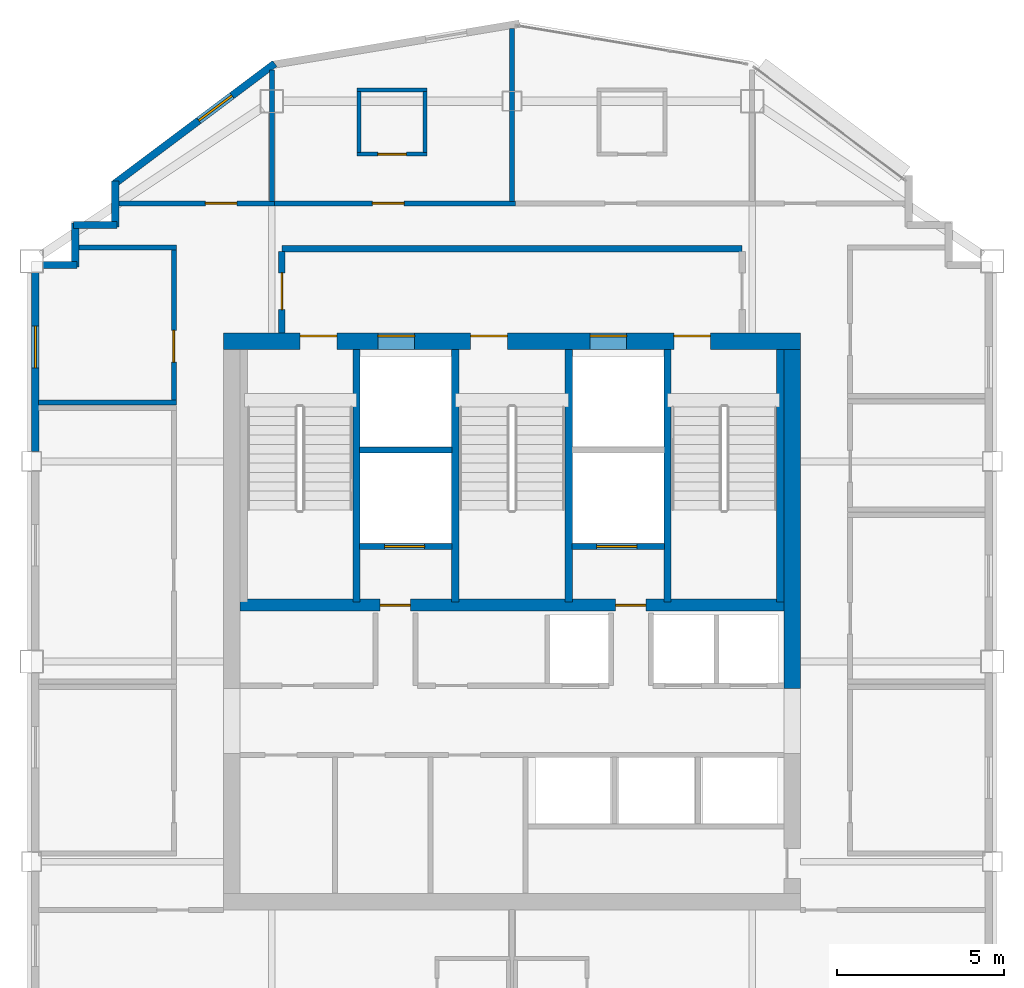
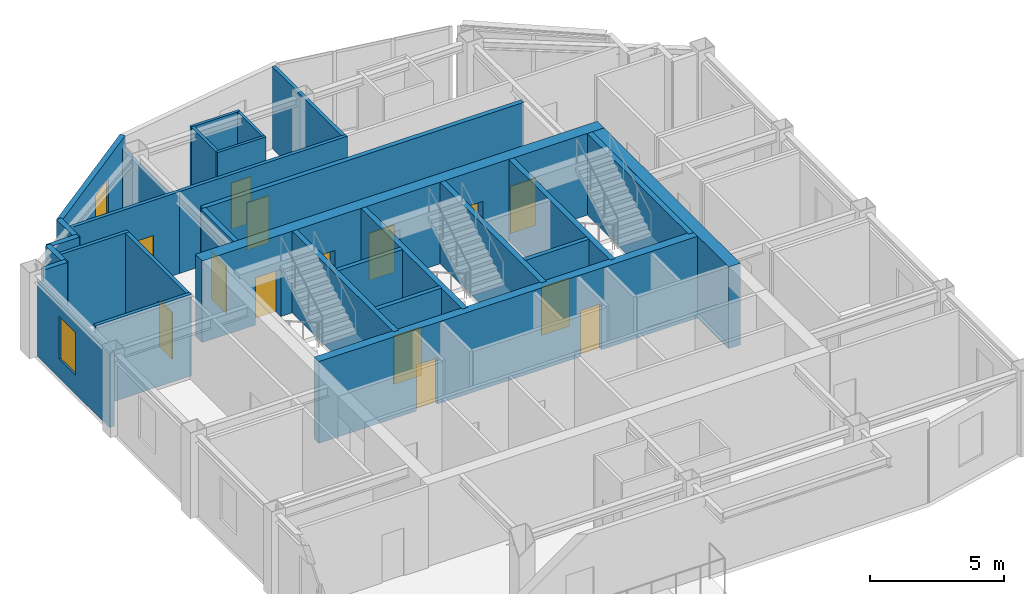
# One storey, part 6 of 9: 30 walls, 14 doors, 2 windows, 16 openings.
"""IFC4 building model written with IfcOpenShell, lengths in metres."""

from ifc_helpers import new_model, si_unit, direction, frame, frame_2d, origin, place, context, subcontext, project, spatial, rectangle, extrude, material, layer, layer_set, type_object, element, fill, save


model = new_model("IFC4")

# Units and contexts
model_context = context("Model", 3, precision=1e-05, world=origin(), true_north=direction((0.0, 1.0)))
body_context = subcontext(model_context, "Body", "Model", "MODEL_VIEW")
ifc_project = project(units=[si_unit("LENGTHUNIT", "METRE"), si_unit("AREAUNIT", "SQUARE_METRE"), si_unit("VOLUMEUNIT", "CUBIC_METRE"), si_unit("PLANEANGLEUNIT", "RADIAN"), si_unit("MASSUNIT", "GRAM", prefix="KILO")], contexts=[model_context])

# Site, building, storey
site_placement = place(None, origin())
site = spatial("IfcSite", under=ifc_project, at=site_placement, CompositionType="ELEMENT")
building_placement = place(site_placement, origin())
building = spatial("IfcBuilding", under=site, at=building_placement, Name="Haolan Belvedere Tower", CompositionType="ELEMENT")
storey_placement = place(building_placement, frame((0.0, 0.0, 290.0)))
storey = spatial("IfcBuildingStorey", under=building, at=storey_placement, Name="L73", CompositionType="ELEMENT", Elevation=290.0)

# Wall, openings, doors
ifc_material_1 = material(Name="Concrete C50/60", Category="concrete")
ifc_layer_1 = layer(ifc_material_1, 0.5, Name="Concrete C50/60")
ifc_layer_set_1 = layer_set([ifc_layer_1], Name="Concrete C50/60")
wall_type_1 = type_object("IfcWallType", Name="WL-CORE-500", PredefinedType="SHEAR", material=ifc_layer_set_1)
wall_1_placement = place(storey_placement, frame((29.75, 43.199951171875, 0.0), z_axis=(0.0, 0.0, 1.0), x_axis=(1.0, 0.0, 0.0)))
wall_1 = element("IfcWall", 1, at=wall_1_placement, inside=storey, type_object=wall_type_1, Name="L73 central core north shear wall", PredefinedType="SHEAR", context=body_context, shape_type="SweptSolid", body=[
    extrude(rectangle(XDim=17.300048828125, YDim=0.5, at=frame_2d((8.64990234375, 0.0))), origin(), (0.0, 0.0, 1.0), 3.719970703125),
])
opening_1_placement = place(wall_1_placement, frame((2.300048828125, 0.0, 0.0)))
opening_1 = element("IfcOpeningElement", 2, at=opening_1_placement, cuts=wall_1, Name="Opening FD-03", PredefinedType="OPENING", context=body_context, shape_type="SweptSolid", body=[
    extrude(rectangle(XDim=1.10009765625, YDim=2.14990234375, at=frame_2d((0.550048828125, 1.074951171875))), frame((0.0, 0.260009765625, 0.0), z_axis=(0.0, -1.0, 0.0), x_axis=(1.0, 0.0, 0.0)), (0.0, 0.0, 1.0), 0.52001953125),
])
opening_2_placement = place(wall_1_placement, frame((7.409912109375, 0.0, 0.0)))
opening_2 = element("IfcOpeningElement", 3, at=opening_2_placement, cuts=wall_1, Name="Opening FD-03", PredefinedType="OPENING", context=body_context, shape_type="SweptSolid", body=[
    extrude(rectangle(XDim=1.10009765625, YDim=2.14990234375, at=frame_2d((0.550048828125, 1.074951171875))), frame((0.0, 0.260009765625, 0.0), z_axis=(0.0, -1.0, 0.0), x_axis=(1.0, 0.0, 0.0)), (0.0, 0.0, 1.0), 0.52001953125),
])
opening_3_placement = place(wall_1_placement, frame((13.5, 0.0, 0.0)))
opening_3 = element("IfcOpeningElement", 4, at=opening_3_placement, cuts=wall_1, Name="Opening FD-03", PredefinedType="OPENING", context=body_context, shape_type="SweptSolid", body=[
    extrude(rectangle(XDim=1.10009765625, YDim=2.14990234375, at=frame_2d((0.550048828125, 1.074951171875))), frame((0.0, 0.260009765625, 0.0), z_axis=(0.0, -1.0, 0.0), x_axis=(1.0, 0.0, 0.0)), (0.0, 0.0, 1.0), 0.52001953125),
])
opening_4_placement = place(wall_1_placement, frame((4.6298828125, 0.0, 0.0)))
opening_4 = element("IfcOpeningElement", 5, at=opening_4_placement, cuts=wall_1, Name="Opening LD-01", PredefinedType="OPENING", context=body_context, shape_type="SweptSolid", body=[
    extrude(rectangle(XDim=1.10009765625, YDim=2.199951171875, at=frame_2d((0.550048828125, 1.10009765625))), frame((0.0, 0.260009765625, 0.0), z_axis=(0.0, -1.0, 0.0), x_axis=(1.0, 0.0, 0.0)), (0.0, 0.0, 1.0), 0.52001953125),
])
opening_5_placement = place(wall_1_placement, frame((10.989990234375, 0.0, 0.0)))
opening_5 = element("IfcOpeningElement", 6, at=opening_5_placement, cuts=wall_1, Name="Opening LD-01", PredefinedType="OPENING", context=body_context, shape_type="SweptSolid", body=[
    extrude(rectangle(XDim=1.10009765625, YDim=2.199951171875, at=frame_2d((0.550048828125, 1.10009765625))), frame((0.0, 0.260009765625, 0.0), z_axis=(0.0, -1.0, 0.0), x_axis=(1.0, 0.0, 0.0)), (0.0, 0.0, 1.0), 0.52001953125),
])
ifc_material_2 = material(Name="Galvanised fire-rated steel", Category="steel")
door_type_1 = type_object("IfcDoorType", Name="DR-FD90-1100", OperationType="NOTDEFINED", PredefinedType="DOOR", material=ifc_material_2)
door_1_placement = place(opening_1_placement, origin())
door_1 = element("IfcDoor", 7, at=door_1_placement, inside=storey, type_object=door_type_1, Name="L73 door CD-L73-ST1", OperationType="SINGLE_SWING_LEFT", OverallHeight=2.14990234375, OverallWidth=1.10009765625, PredefinedType="DOOR", context=body_context, shape_type="SweptSolid", body=[
    extrude(rectangle(XDim=1.10009765625, YDim=2.14990234375, at=frame_2d((0.550048828125, 1.074951171875))), frame((0.0, 0.18505859375, 0.0), z_axis=(0.0, -1.0, 0.0), x_axis=(1.0, 0.0, 0.0)), (0.0, 0.0, 1.0), 0.050048828125),
])
fill(opening_1, door_1)
door_2_placement = place(opening_2_placement, origin())
door_2 = element("IfcDoor", 8, at=door_2_placement, inside=storey, type_object=door_type_1, Name="L73 door CD-L73-ST3", OperationType="SINGLE_SWING_LEFT", OverallHeight=2.14990234375, OverallWidth=1.10009765625, PredefinedType="DOOR", context=body_context, shape_type="SweptSolid", body=[
    extrude(rectangle(XDim=1.10009765625, YDim=2.14990234375, at=frame_2d((0.550048828125, 1.074951171875))), frame((0.0, 0.18505859375, 0.0), z_axis=(0.0, -1.0, 0.0), x_axis=(1.0, 0.0, 0.0)), (0.0, 0.0, 1.0), 0.050048828125),
])
fill(opening_2, door_2)
door_3_placement = place(opening_3_placement, origin())
door_3 = element("IfcDoor", 9, at=door_3_placement, inside=storey, type_object=door_type_1, Name="L73 door CD-L73-ST2", OperationType="SINGLE_SWING_RIGHT", OverallHeight=2.14990234375, OverallWidth=1.10009765625, PredefinedType="DOOR", context=body_context, shape_type="SweptSolid", body=[
    extrude(rectangle(XDim=1.10009765625, YDim=2.14990234375, at=frame_2d((0.550048828125, 1.074951171875))), frame((0.0, 0.18505859375, 0.0), z_axis=(0.0, -1.0, 0.0), x_axis=(1.0, 0.0, 0.0)), (0.0, 0.0, 1.0), 0.050048828125),
])
fill(opening_3, door_3)
ifc_material_3 = material(Name="Brushed champagne stainless steel 316L", Category="steel")
door_type_2 = type_object("IfcDoorType", Name="DR-LIFT-1100", OperationType="SLIDING_TO_LEFT", PredefinedType="DOOR", material=ifc_material_3)
door_4_placement = place(opening_4_placement, origin())
door_4 = element("IfcDoor", 10, at=door_4_placement, inside=storey, type_object=door_type_2, Name="L73 door LD-L73-FF1", OperationType="SLIDING_TO_LEFT", OverallHeight=2.199951171875, OverallWidth=1.10009765625, PredefinedType="DOOR", context=body_context, shape_type="SweptSolid", body=[
    extrude(rectangle(XDim=1.10009765625, YDim=2.199951171875, at=frame_2d((0.550048828125, 1.10009765625))), frame((0.0, 0.18505859375, 0.0), z_axis=(0.0, -1.0, 0.0), x_axis=(1.0, 0.0, 0.0)), (0.0, 0.0, 1.0), 0.050048828125),
])
fill(opening_4, door_4)
door_5_placement = place(opening_5_placement, origin())
door_5 = element("IfcDoor", 11, at=door_5_placement, inside=storey, type_object=door_type_2, Name="L73 door LD-L73-FF2", OperationType="SLIDING_TO_LEFT", OverallHeight=2.199951171875, OverallWidth=1.10009765625, PredefinedType="DOOR", context=body_context, shape_type="SweptSolid", body=[
    extrude(rectangle(XDim=1.10009765625, YDim=2.199951171875, at=frame_2d((0.550048828125, 1.10009765625))), frame((0.0, 0.18505859375, 0.0), z_axis=(0.0, -1.0, 0.0), x_axis=(1.0, 0.0, 0.0)), (0.0, 0.0, 1.0), 0.050048828125),
])
fill(opening_5, door_5)

# Wall
wall_2_placement = place(storey_placement, frame((46.800048828125, 32.800048828125, 0.0), z_axis=(0.0, 0.0, 1.0), x_axis=(0.0, 1.0, 0.0)))
element("IfcWall", 12, at=wall_2_placement, inside=storey, type_object=wall_type_1, Name="L73 central core shear wall EN", PredefinedType="SHEAR", context=body_context, shape_type="SweptSolid", body=[
    extrude(rectangle(XDim=10.14990234375, YDim=0.5, at=frame_2d((5.074951171875, 0.0))), origin(), (0.0, 0.0, 1.0), 3.719970703125),
])

# Wall, opening, window
ifc_material_4 = material(Name="Precast concrete C40/50", Category="concrete")
ifc_layer_2 = layer(ifc_material_4, 0.219970703125, Name="Precast concrete C40/50")
ifc_layer_set_2 = layer_set([ifc_layer_2], Name="Precast concrete C40/50")
wall_type_2 = type_object("IfcWallType", Name="WL-EXT-220", PredefinedType="SOLIDWALL", material=ifc_layer_set_2)
wall_3_placement = place(storey_placement, frame((31.28857421875, 51.52880859375, 0.0), z_axis=(0.0, 0.0, 1.0), x_axis=(-0.800014580093, -0.599980559383, 0.0)))
wall_3 = element("IfcWall", 13, at=wall_3_placement, inside=storey, type_object=wall_type_2, Name="L73 pale-metal exterior spandrel wall 11.1", PredefinedType="SOLIDWALL", context=body_context, shape_type="SweptSolid", body=[
    extrude(rectangle(XDim=6.028076171875, YDim=0.219970703125, at=frame_2d((3.01416015625, 0.0))), origin(), (0.0, 0.0, 1.0), 3.719970703125),
])
opening_6_placement = place(wall_3_placement, frame((1.60009765625, 0.0, 0.85009765625)))
opening_6 = element("IfcOpeningElement", 14, at=opening_6_placement, cuts=wall_3, Name="Opening W-04", PredefinedType="OPENING", context=body_context, shape_type="SweptSolid", body=[
    extrude(rectangle(XDim=1.25, YDim=1.949951171875, at=frame_2d((0.625, 0.97509765625))), frame((0.0, 0.119873046875, 0.0), z_axis=(0.0, -1.0, 0.0), x_axis=(1.0, 0.0, 0.0)), (0.0, 0.0, 1.0), 0.239990234375),
])
ifc_material_5 = material(Name="Anodised aluminium 6063-T6 and Low-E glass", Category="aluminium")
window_type = type_object("IfcWindowType", Name="WN-DECO-Z4", PartitioningType="SINGLE_PANEL", PredefinedType="WINDOW", material=ifc_material_5)
window_1_placement = place(opening_6_placement, origin())
window_1 = element("IfcWindow", 15, at=window_1_placement, inside=storey, type_object=window_type, Name="L73 Art Deco chevron window 1", OverallHeight=1.949951171875, OverallWidth=1.25, PartitioningType="SINGLE_PANEL", PredefinedType="WINDOW", context=body_context, shape_type="SweptSolid", body=[
    extrude(rectangle(XDim=1.25, YDim=1.949951171875, at=frame_2d((0.625, 0.97509765625))), frame((0.0, 0.030029296875, 0.0), z_axis=(0.0, -1.0, 0.0), x_axis=(1.0, 0.0, 0.0)), (0.0, 0.0, 1.0), 0.06005859375),
])
fill(opening_6, window_1)

# Walls
wall_4_placement = place(storey_placement, frame((26.510009765625, 48.0, 0.0), z_axis=(0.0, 0.0, 1.0), x_axis=(0.0, -1.0, 0.0)))
element("IfcWall", 16, at=wall_4_placement, inside=storey, type_object=wall_type_2, Name="L73 pale-metal exterior spandrel wall 12.1", PredefinedType="SOLIDWALL", context=body_context, shape_type="SweptSolid", body=[
    extrude(rectangle(XDim=1.364990234375, YDim=0.219970703125, at=frame_2d((0.6826171875, 0.0))), origin(), (0.0, 0.0, 1.0), 3.719970703125),
])
for number, where, z_axis, x_axis, name in (
    (17, (26.56494140625, 46.68994140625, 0.0), (0.0, 0.0, 1.0), (-1.0, 0.0, 0.0), "L73 pale-metal exterior spandrel wall 13.1"),
    (18, (25.31005859375, 46.7451171875, 0.0), (0.0, 0.0, 1.0), (0.0, -1.0, 0.0), "L73 pale-metal exterior spandrel wall 14.1"),
):
    element("IfcWall", number, at=place(storey_placement, frame(where, z_axis=z_axis, x_axis=x_axis)), inside=storey, type_object=wall_type_2, Name=name, PredefinedType="SOLIDWALL", context=body_context, shape_type="SweptSolid", body=[
        extrude(rectangle(XDim=1.31005859375, YDim=0.219970703125, at=frame_2d((0.655029296875, 0.0))), origin(), (0.0, 0.0, 1.0), 3.719970703125),
    ])
wall_5_placement = place(storey_placement, frame((25.364990234375, 45.489990234375, 0.0), z_axis=(0.0, 0.0, 1.0), x_axis=(-1.0, 0.0, 0.0)))
element("IfcWall", 19, at=wall_5_placement, inside=storey, type_object=wall_type_2, Name="L73 pale-metal exterior spandrel wall 15.1", PredefinedType="SOLIDWALL", context=body_context, shape_type="SweptSolid", body=[
    extrude(rectangle(XDim=1.02294921875, YDim=0.219970703125, at=frame_2d((0.511474609375, 0.0))), origin(), (0.0, 0.0, 1.0), 3.719970703125),
])

# Wall, opening, window
wall_6_placement = place(storey_placement, frame((24.110107421875, 45.258056640625, 0.0), z_axis=(0.0, 0.0, 1.0), x_axis=(0.0, -1.0, 0.0)))
wall_6 = element("IfcWall", 20, at=wall_6_placement, inside=storey, type_object=wall_type_2, Name="L73 pale-metal exterior spandrel wall 16.1", PredefinedType="SOLIDWALL", context=body_context, shape_type="SweptSolid", body=[
    extrude(rectangle(XDim=5.365966796875, YDim=0.219970703125, at=frame_2d((2.68310546875, 0.0))), origin(), (0.0, 0.0, 1.0), 3.364990234375),
])
opening_7_placement = place(wall_6_placement, frame((1.60009765625, 0.0, 0.85009765625)))
opening_7 = element("IfcOpeningElement", 21, at=opening_7_placement, cuts=wall_6, Name="Opening W-04", PredefinedType="OPENING", context=body_context, shape_type="SweptSolid", body=[
    extrude(rectangle(XDim=1.25, YDim=1.949951171875, at=frame_2d((0.625, 0.97509765625))), frame((0.0, 0.119873046875, 0.0), z_axis=(0.0, -1.0, 0.0), x_axis=(1.0, 0.0, 0.0)), (0.0, 0.0, 1.0), 0.239990234375),
])
window_2_placement = place(opening_7_placement, origin())
window_2 = element("IfcWindow", 22, at=window_2_placement, inside=storey, type_object=window_type, Name="L73 Art Deco chevron window 1", OverallHeight=1.949951171875, OverallWidth=1.25, PartitioningType="SINGLE_PANEL", PredefinedType="WINDOW", context=body_context, shape_type="SweptSolid", body=[
    extrude(rectangle(XDim=1.25, YDim=1.949951171875, at=frame_2d((0.625, 0.97509765625))), frame((0.0, 0.030029296875, 0.0), z_axis=(0.0, -1.0, 0.0), x_axis=(1.0, 0.0, 0.0)), (0.0, 0.0, 1.0), 0.06005859375),
])
fill(opening_7, window_2)

# Wall
ifc_material_6 = material(Name="Concrete C40/50", Category="concrete")
ifc_layer_3 = layer(ifc_material_6, 0.199951171875, Name="Concrete C40/50")
ifc_layer_set_3 = layer_set([ifc_layer_3], Name="Concrete C40/50")
wall_type_3 = type_object("IfcWallType", Name="WL-FIRE-200", PredefinedType="SOLIDWALL", material=ifc_layer_set_3)
wall_7_placement = place(storey_placement, frame((31.5, 45.97998046875, 0.0), z_axis=(0.0, 0.0, 1.0), x_axis=(1.0, 0.0, 0.0)))
element("IfcWall", 23, at=wall_7_placement, inside=storey, type_object=wall_type_3, Name="L73 interior partition IW-L73-FFL-N", PredefinedType="SOLIDWALL", context=body_context, shape_type="SweptSolid", body=[
    extrude(rectangle(XDim=13.800048828125, YDim=0.199951171875, at=frame_2d((6.89990234375, 0.0))), origin(), (0.0, 0.0, 1.0), 3.719970703125),
])

# Wall, opening, door
wall_8_placement = place(storey_placement, frame((31.5, 43.449951171875, 0.0), z_axis=(0.0, 0.0, 1.0), x_axis=(0.0, 1.0, 0.0)))
wall_8 = element("IfcWall", 24, at=wall_8_placement, inside=storey, type_object=wall_type_3, Name="L73 interior partition IW-L73-FFL-W", PredefinedType="SOLIDWALL", context=body_context, shape_type="SweptSolid", body=[
    extrude(rectangle(XDim=2.445068359375, YDim=0.199951171875, at=frame_2d((1.22265625, 0.0))), origin(), (0.0, 0.0, 1.0), 3.719970703125),
])
opening_8_placement = place(wall_8_placement, frame((1.800048828125, 0.0, 0.0), z_axis=(0.0, 0.0, 1.0), x_axis=(-1.0, 0.0, 0.0)))
opening_8 = element("IfcOpeningElement", 25, at=opening_8_placement, cuts=wall_8, Name="Opening FD-03", PredefinedType="OPENING", context=body_context, shape_type="SweptSolid", body=[
    extrude(rectangle(XDim=1.10009765625, YDim=2.14990234375, at=frame_2d((0.550048828125, 1.074951171875))), frame((0.0, 0.10986328125, 0.0), z_axis=(0.0, -1.0, 0.0), x_axis=(1.0, 0.0, 0.0)), (0.0, 0.0, 1.0), 0.219970703125),
])
door_6_placement = place(opening_8_placement, origin())
door_6 = element("IfcDoor", 26, at=door_6_placement, inside=storey, type_object=door_type_1, Name="L73 door ID-L73-FFL-DW", OperationType="SINGLE_SWING_LEFT", OverallHeight=2.14990234375, OverallWidth=1.10009765625, PredefinedType="DOOR", context=body_context, shape_type="SweptSolid", body=[
    extrude(rectangle(XDim=1.10009765625, YDim=2.14990234375, at=frame_2d((0.550048828125, 1.074951171875))), frame((0.0, 0.02490234375, 0.0), z_axis=(0.0, -1.0, 0.0), x_axis=(1.0, 0.0, 0.0)), (0.0, 0.0, 1.0), 0.050048828125),
])
fill(opening_8, door_6)

# Walls
ifc_material_7 = material(Name="Double gypsum acoustic stud partition", Category="masonry")
ifc_layer_4 = layer(ifc_material_7, 0.14990234375, Name="Double gypsum acoustic stud partition")
ifc_layer_set_4 = layer_set([ifc_layer_4], Name="Double gypsum acoustic stud partition")
wall_type_4 = type_object("IfcWallType", Name="WL-PART-150", PredefinedType="PARTITIONING", material=ifc_layer_set_4)
wall_9_placement = place(storey_placement, frame((25.412109375, 46.02001953125, 0.0), z_axis=(0.0, 0.0, 1.0), x_axis=(1.0, 0.0, 0.0)))
element("IfcWall", 27, at=wall_9_placement, inside=storey, type_object=wall_type_4, Name="L73 interior partition IW-L73-HSK-N", PredefinedType="PARTITIONING", context=body_context, shape_type="SweptSolid", body=[
    extrude(rectangle(XDim=2.927978515625, YDim=0.14990234375, at=frame_2d((1.4638671875, 0.0))), origin(), (0.0, 0.0, 1.0), 3.719970703125),
])
wall_10_placement = place(storey_placement, frame((24.2119140625, 41.360107421875, 0.0), z_axis=(0.0, 0.0, 1.0), x_axis=(1.0, 0.0, 0.0)))
element("IfcWall", 28, at=wall_10_placement, inside=storey, type_object=wall_type_4, Name="L73 interior partition IW-L73-HSK-S", PredefinedType="PARTITIONING", context=body_context, shape_type="SweptSolid", body=[
    extrude(rectangle(XDim=4.128173828125, YDim=0.14990234375, at=frame_2d((2.06396484375, 0.0))), origin(), (0.0, 0.0, 1.0), 3.719970703125),
])

# Wall, opening, door
wall_11_placement = place(storey_placement, frame((28.260009765625, 41.419921875, 0.0), z_axis=(0.0, 0.0, 1.0), x_axis=(0.0, 1.0, 0.0)))
wall_11 = element("IfcWall", 29, at=wall_11_placement, inside=storey, type_object=wall_type_4, Name="L73 interior partition IW-L73-HSK-E", PredefinedType="PARTITIONING", context=body_context, shape_type="SweptSolid", body=[
    extrude(rectangle(XDim=4.5400390625, YDim=0.14990234375, at=frame_2d((2.27001953125, 0.0))), origin(), (0.0, 0.0, 1.0), 3.719970703125),
])
opening_9_placement = place(wall_11_placement, frame((2.10986328125, 0.0, 0.0), z_axis=(0.0, 0.0, 1.0), x_axis=(-1.0, 0.0, 0.0)))
opening_9 = element("IfcOpeningElement", 30, at=opening_9_placement, cuts=wall_11, Name="Opening ID-03", PredefinedType="OPENING", context=body_context, shape_type="SweptSolid", body=[
    extrude(rectangle(XDim=0.949951171875, YDim=2.1201171875, at=frame_2d((0.47509765625, 1.06005859375))), frame((0.0, 0.0849609375, 0.0), z_axis=(0.0, -1.0, 0.0), x_axis=(1.0, 0.0, 0.0)), (0.0, 0.0, 1.0), 0.169921875),
])
ifc_material_8 = material(Name="Painted solid-core timber", Category="wood")
door_type_3 = type_object("IfcDoorType", Name="DR-INT-950", OperationType="NOTDEFINED", PredefinedType="DOOR", material=ifc_material_8)
door_7_placement = place(opening_9_placement, origin())
door_7 = element("IfcDoor", 31, at=door_7_placement, inside=storey, type_object=door_type_3, Name="L73 door ID-L73-HSK", OperationType="SINGLE_SWING_RIGHT", OverallHeight=2.1201171875, OverallWidth=0.949951171875, PredefinedType="DOOR", context=body_context, shape_type="SweptSolid", body=[
    extrude(rectangle(XDim=0.949951171875, YDim=2.1201171875, at=frame_2d((0.47509765625, 1.06005859375))), frame((0.0, 0.02490234375, 0.0), z_axis=(0.0, -1.0, 0.0), x_axis=(1.0, 0.0, 0.0)), (0.0, 0.0, 1.0), 0.050048828125),
])
fill(opening_9, door_7)

wall_12_placement = place(storey_placement, frame((26.612060546875, 47.340087890625, 0.0), z_axis=(0.0, 0.0, 1.0), x_axis=(1.0, 0.0, 0.0)))
wall_12 = element("IfcWall", 32, at=wall_12_placement, inside=storey, type_object=wall_type_4, Name="L73 interior partition IW-L73-KN1-S", PredefinedType="PARTITIONING", context=body_context, shape_type="SweptSolid", body=[
    extrude(rectangle(XDim=4.66796875, YDim=0.14990234375, at=frame_2d((2.333984375, 0.0))), origin(), (0.0, 0.0, 1.0), 3.719970703125),
])
opening_10_placement = place(wall_12_placement, frame((2.593017578125, 0.0, 0.0)))
opening_10 = element("IfcOpeningElement", 33, at=opening_10_placement, cuts=wall_12, Name="Opening ID-03", PredefinedType="OPENING", context=body_context, shape_type="SweptSolid", body=[
    extrude(rectangle(XDim=0.949951171875, YDim=2.1201171875, at=frame_2d((0.47509765625, 1.06005859375))), frame((0.0, 0.0849609375, 0.0), z_axis=(0.0, -1.0, 0.0), x_axis=(1.0, 0.0, 0.0)), (0.0, 0.0, 1.0), 0.169921875),
])
door_8_placement = place(opening_10_placement, origin())
door_8 = element("IfcDoor", 34, at=door_8_placement, inside=storey, type_object=door_type_3, Name="L73 door ID-L73-KN1", OperationType="SINGLE_SWING_LEFT", OverallHeight=2.1201171875, OverallWidth=0.949951171875, PredefinedType="DOOR", context=body_context, shape_type="SweptSolid", body=[
    extrude(rectangle(XDim=0.949951171875, YDim=2.1201171875, at=frame_2d((0.47509765625, 1.06005859375))), frame((0.0, 0.02490234375, 0.0), z_axis=(0.0, -1.0, 0.0), x_axis=(1.0, 0.0, 0.0)), (0.0, 0.0, 1.0), 0.050048828125),
])
fill(opening_10, door_8)

# Wall
wall_13_placement = place(storey_placement, frame((31.199951171875, 47.39990234375, 0.0), z_axis=(0.0, 0.0, 1.0), x_axis=(0.0, 1.0, 0.0)))
element("IfcWall", 35, at=wall_13_placement, inside=storey, type_object=wall_type_4, Name="L73 interior partition IW-L73-KN1-E", PredefinedType="PARTITIONING", context=body_context, shape_type="SweptSolid", body=[
    extrude(rectangle(XDim=3.93505859375, YDim=0.14990234375, at=frame_2d((1.967529296875, 0.0))), origin(), (0.0, 0.0, 1.0), 3.2548828125),
])

# Wall, opening, door
wall_14_placement = place(storey_placement, frame((31.281982421875, 47.340087890625, 0.0), z_axis=(0.0, 0.0, 1.0), x_axis=(1.0, 0.0, 0.0)))
wall_14 = element("IfcWall", 36, at=wall_14_placement, inside=storey, type_object=wall_type_4, Name="L73 interior partition IW-L73-KN2-S", PredefinedType="PARTITIONING", context=body_context, shape_type="SweptSolid", body=[
    extrude(rectangle(XDim=7.218017578125, YDim=0.14990234375, at=frame_2d((3.60888671875, 0.0))), origin(), (0.0, 0.0, 1.0), 3.719970703125),
])
opening_11_placement = place(wall_14_placement, frame((2.93017578125, 0.0, 0.0)))
opening_11 = element("IfcOpeningElement", 37, at=opening_11_placement, cuts=wall_14, Name="Opening ID-02", PredefinedType="OPENING", context=body_context, shape_type="SweptSolid", body=[
    extrude(rectangle(XDim=0.949951171875, YDim=2.14990234375, at=frame_2d((0.47509765625, 1.074951171875))), frame((0.0, 0.0849609375, 0.0), z_axis=(0.0, -1.0, 0.0), x_axis=(1.0, 0.0, 0.0)), (0.0, 0.0, 1.0), 0.169921875),
])
ifc_material_9 = material(Name="Acoustic oak veneer fire-rated timber", Category="wood")
door_type_4 = type_object("IfcDoorType", Name="DR-GUEST-950", OperationType="NOTDEFINED", PredefinedType="DOOR", material=ifc_material_9)
door_9_placement = place(opening_11_placement, origin())
door_9 = element("IfcDoor", 38, at=door_9_placement, inside=storey, type_object=door_type_4, Name="L73 door ID-L73-KN2-ENT", OperationType="SINGLE_SWING_RIGHT", OverallHeight=2.14990234375, OverallWidth=0.949951171875, PredefinedType="DOOR", context=body_context, shape_type="SweptSolid", body=[
    extrude(rectangle(XDim=0.949951171875, YDim=2.14990234375, at=frame_2d((0.47509765625, 1.074951171875))), frame((0.0, 0.02490234375, 0.0), z_axis=(0.0, -1.0, 0.0), x_axis=(1.0, 0.0, 0.0)), (0.0, 0.0, 1.0), 0.050048828125),
])
fill(opening_11, door_9)

# Walls
wall_15_placement = place(storey_placement, frame((38.39990234375, 47.39990234375, 0.0), z_axis=(0.0, 0.0, 1.0), x_axis=(0.0, 1.0, 0.0)))
element("IfcWall", 39, at=wall_15_placement, inside=storey, type_object=wall_type_4, Name="L73 interior partition IW-L73-KN2-E", PredefinedType="PARTITIONING", context=body_context, shape_type="SweptSolid", body=[
    extrude(rectangle(XDim=5.185302734375, YDim=0.14990234375, at=frame_2d((2.5927734375, 0.0))), origin(), (0.0, 0.0, 1.0), 3.719970703125),
])
ifc_layer_5 = layer(ifc_material_4, 0.179931640625, Name="Precast concrete C40/50")
ifc_layer_set_5 = layer_set([ifc_layer_5], Name="Precast concrete C40/50")
wall_type_5 = type_object("IfcWallType", Name="WL-SHAFT-180", PredefinedType="SOLIDWALL", material=ifc_layer_set_5)
wall_16_placement = place(storey_placement, frame((33.8349609375, 39.949951171875, 0.0), z_axis=(0.0, 0.0, 1.0), x_axis=(1.0, 0.0, 0.0)))
element("IfcWall", 40, at=wall_16_placement, inside=storey, type_object=wall_type_5, Name="L73 interior partition IW-L73-FF1-S", PredefinedType="SOLIDWALL", context=body_context, shape_type="SweptSolid", body=[
    extrude(rectangle(XDim=2.77001953125, YDim=0.179931640625, at=frame_2d((1.385009765625, 0.0))), origin(), (0.0, 0.0, 1.0), 3.719970703125),
])

# Wall, opening, door
wall_17_placement = place(storey_placement, frame((33.8349609375, 37.050048828125, 0.0), z_axis=(0.0, 0.0, 1.0), x_axis=(1.0, 0.0, 0.0)))
wall_17 = element("IfcWall", 41, at=wall_17_placement, inside=storey, type_object=wall_type_5, Name="L73 interior partition IW-L73-SV1-S", PredefinedType="SOLIDWALL", context=body_context, shape_type="SweptSolid", body=[
    extrude(rectangle(XDim=2.77001953125, YDim=0.179931640625, at=frame_2d((1.385009765625, 0.0))), origin(), (0.0, 0.0, 1.0), 3.719970703125),
])
opening_12_placement = place(wall_17_placement, frame((1.945068359375, 0.0, 0.0), z_axis=(0.0, 0.0, 1.0), x_axis=(-1.0, 0.0, 0.0)))
opening_12 = element("IfcOpeningElement", 42, at=opening_12_placement, cuts=wall_17, Name="Opening LD-02", PredefinedType="OPENING", context=body_context, shape_type="SweptSolid", body=[
    extrude(rectangle(XDim=1.199951171875, YDim=2.199951171875, at=frame_2d((0.60009765625, 1.10009765625))), frame((0.0, 0.099853515625, 0.0), z_axis=(0.0, -1.0, 0.0), x_axis=(1.0, 0.0, 0.0)), (0.0, 0.0, 1.0), 0.199951171875),
])
door_type_5 = type_object("IfcDoorType", Name="DR-LIFT-1200", OperationType="SLIDING_TO_RIGHT", PredefinedType="DOOR", material=ifc_material_3)
door_10_placement = place(opening_12_placement, origin())
door_10 = element("IfcDoor", 43, at=door_10_placement, inside=storey, type_object=door_type_5, Name="L73 door ID-L73-LD-SV1", OperationType="SLIDING_TO_RIGHT", OverallHeight=2.199951171875, OverallWidth=1.199951171875, PredefinedType="DOOR", context=body_context, shape_type="SweptSolid", body=[
    extrude(rectangle(XDim=1.199951171875, YDim=2.199951171875, at=frame_2d((0.60009765625, 1.10009765625))), frame((0.0, 0.02490234375, 0.0), z_axis=(0.0, -1.0, 0.0), x_axis=(1.0, 0.0, 0.0)), (0.0, 0.0, 1.0), 0.050048828125),
])
fill(opening_12, door_10)

wall_18_placement = place(storey_placement, frame((40.195068359375, 37.050048828125, 0.0), z_axis=(0.0, 0.0, 1.0), x_axis=(1.0, 0.0, 0.0)))
wall_18 = element("IfcWall", 44, at=wall_18_placement, inside=storey, type_object=wall_type_5, Name="L73 interior partition IW-L73-SV2-S", PredefinedType="SOLIDWALL", context=body_context, shape_type="SweptSolid", body=[
    extrude(rectangle(XDim=2.77001953125, YDim=0.179931640625, at=frame_2d((1.385009765625, 0.0))), origin(), (0.0, 0.0, 1.0), 3.719970703125),
])
opening_13_placement = place(wall_18_placement, frame((1.945068359375, 0.0, 0.0), z_axis=(0.0, 0.0, 1.0), x_axis=(-1.0, 0.0, 0.0)))
opening_13 = element("IfcOpeningElement", 45, at=opening_13_placement, cuts=wall_18, Name="Opening LD-02", PredefinedType="OPENING", context=body_context, shape_type="SweptSolid", body=[
    extrude(rectangle(XDim=1.199951171875, YDim=2.199951171875, at=frame_2d((0.60009765625, 1.10009765625))), frame((0.0, 0.099853515625, 0.0), z_axis=(0.0, -1.0, 0.0), x_axis=(1.0, 0.0, 0.0)), (0.0, 0.0, 1.0), 0.199951171875),
])
door_11_placement = place(opening_13_placement, origin())
door_11 = element("IfcDoor", 46, at=door_11_placement, inside=storey, type_object=door_type_5, Name="L73 door ID-L73-LD-SV2", OperationType="SLIDING_TO_RIGHT", OverallHeight=2.199951171875, OverallWidth=1.199951171875, PredefinedType="DOOR", context=body_context, shape_type="SweptSolid", body=[
    extrude(rectangle(XDim=1.199951171875, YDim=2.199951171875, at=frame_2d((0.60009765625, 1.10009765625))), frame((0.0, 0.02490234375, 0.0), z_axis=(0.0, -1.0, 0.0), x_axis=(1.0, 0.0, 0.0)), (0.0, 0.0, 1.0), 0.050048828125),
])
fill(opening_13, door_11)

# Walls
ifc_layer_6 = layer(ifc_material_1, 0.219970703125, Name="Concrete C50/60")
ifc_layer_set_6 = layer_set([ifc_layer_6], Name="Concrete C50/60")
wall_type_6 = type_object("IfcWallType", Name="WL-STAIR-220", PredefinedType="SHEAR", material=ifc_layer_set_6)
for number, where, z_axis, x_axis, name in (
    (47, (33.739990234375, 35.389892578125, 0.0), (0.0, 0.0, 1.0), (0.0, 1.0, 0.0), "L73 structural stair core wall ST1E"),
    (48, (36.699951171875, 35.389892578125, 0.0), (0.0, 0.0, 1.0), (0.0, 1.0, 0.0), "L73 structural stair core wall ST3W"),
    (49, (40.10009765625, 35.389892578125, 0.0), (0.0, 0.0, 1.0), (0.0, 1.0, 0.0), "L73 structural stair core wall ST3E"),
    (50, (43.06005859375, 35.389892578125, 0.0), (0.0, 0.0, 1.0), (0.0, 1.0, 0.0), "L73 structural stair core wall ST2W"),
    (51, (46.43798828125, 35.389892578125, 0.0), (0.0, 0.0, 1.0), (0.0, 1.0, 0.0), "L73 structural stair core wall ST2E"),
):
    element("IfcWall", number, at=place(storey_placement, frame(where, z_axis=z_axis, x_axis=x_axis)), inside=storey, type_object=wall_type_6, Name=name, PredefinedType="SHEAR", context=body_context, shape_type="SweptSolid", body=[
        extrude(rectangle(XDim=7.56005859375, YDim=0.219970703125, at=frame_2d((3.780029296875, 0.0))), origin(), (0.0, 0.0, 1.0), 3.719970703125),
    ])

# Wall, openings, doors
ifc_material_10 = material(Name="Concrete C60/75", Category="concrete")
ifc_layer_7 = layer(ifc_material_10, 0.360107421875, Name="Concrete C60/75")
ifc_layer_set_7 = layer_set([ifc_layer_7], Name="Concrete C60/75")
wall_type_7 = type_object("IfcWallType", Name="WL-WEB-350", PredefinedType="SHEAR", material=ifc_layer_set_7)
wall_19_placement = place(storey_placement, frame((30.25, 35.2900390625, 0.0), z_axis=(0.0, 0.0, 1.0), x_axis=(1.0, 0.0, 0.0)))
wall_19 = element("IfcWall", 52, at=wall_19_placement, inside=storey, type_object=wall_type_7, Name="L73 central core internal shear web", PredefinedType="SHEAR", context=body_context, shape_type="SweptSolid", body=[
    extrude(rectangle(XDim=16.300048828125, YDim=0.360107421875, at=frame_2d((8.14990234375, 0.0))), origin(), (0.0, 0.0, 1.0), 3.719970703125),
])
opening_14_placement = place(wall_19_placement, frame((5.099853515625, 0.0, 0.0), z_axis=(0.0, 0.0, 1.0), x_axis=(-1.0, 0.0, 0.0)))
opening_14 = element("IfcOpeningElement", 53, at=opening_14_placement, cuts=wall_19, Name="Opening FD-05", PredefinedType="OPENING", context=body_context, shape_type="SweptSolid", body=[
    extrude(rectangle(XDim=0.89990234375, YDim=2.10009765625, at=frame_2d((0.449951171875, 1.050048828125))), frame((0.0, 0.18994140625, 0.0), z_axis=(0.0, -1.0, 0.0), x_axis=(1.0, 0.0, 0.0)), (0.0, 0.0, 1.0), 0.380126953125),
])
opening_15_placement = place(wall_19_placement, frame((12.159912109375, 0.0, 0.0), z_axis=(0.0, 0.0, 1.0), x_axis=(-1.0, 0.0, 0.0)))
opening_15 = element("IfcOpeningElement", 54, at=opening_15_placement, cuts=wall_19, Name="Opening FD-05", PredefinedType="OPENING", context=body_context, shape_type="SweptSolid", body=[
    extrude(rectangle(XDim=0.89990234375, YDim=2.10009765625, at=frame_2d((0.449951171875, 1.050048828125))), frame((0.0, 0.18994140625, 0.0), z_axis=(0.0, -1.0, 0.0), x_axis=(1.0, 0.0, 0.0)), (0.0, 0.0, 1.0), 0.380126953125),
])
door_type_6 = type_object("IfcDoorType", Name="DR-FD60-900", OperationType="NOTDEFINED", PredefinedType="DOOR", material=ifc_material_2)
door_12_placement = place(opening_14_placement, origin())
door_12 = element("IfcDoor", 55, at=door_12_placement, inside=storey, type_object=door_type_6, Name="L73 door CD-L73-SVL-SV1", OperationType="SINGLE_SWING_RIGHT", OverallHeight=2.10009765625, OverallWidth=0.89990234375, PredefinedType="DOOR", context=body_context, shape_type="SweptSolid", body=[
    extrude(rectangle(XDim=0.89990234375, YDim=2.10009765625, at=frame_2d((0.449951171875, 1.050048828125))), frame((0.0, 0.02490234375, 0.0), z_axis=(0.0, -1.0, 0.0), x_axis=(1.0, 0.0, 0.0)), (0.0, 0.0, 1.0), 0.050048828125),
])
fill(opening_14, door_12)
door_13_placement = place(opening_15_placement, origin())
door_13 = element("IfcDoor", 56, at=door_13_placement, inside=storey, type_object=door_type_6, Name="L73 door CD-L73-SVL-SV2", OperationType="SINGLE_SWING_RIGHT", OverallHeight=2.10009765625, OverallWidth=0.89990234375, PredefinedType="DOOR", context=body_context, shape_type="SweptSolid", body=[
    extrude(rectangle(XDim=0.89990234375, YDim=2.10009765625, at=frame_2d((0.449951171875, 1.050048828125))), frame((0.0, 0.02490234375, 0.0), z_axis=(0.0, -1.0, 0.0), x_axis=(1.0, 0.0, 0.0)), (0.0, 0.0, 1.0), 0.050048828125),
])
fill(opening_15, door_13)

# Wall
ifc_material_11 = material(Name="Moisture-resistant gypsum tile partition", Category="masonry")
ifc_layer_8 = layer(ifc_material_11, 0.1201171875, Name="Moisture-resistant gypsum tile partition")
ifc_layer_set_8 = layer_set([ifc_layer_8], Name="Moisture-resistant gypsum tile partition")
wall_type_8 = type_object("IfcWallType", Name="WL-WET-120", PredefinedType="PARTITIONING", material=ifc_layer_set_8)
wall_20_placement = place(storey_placement, frame((33.757080078125, 50.72998046875, 0.0), z_axis=(0.0, 0.0, 1.0), x_axis=(1.0, 0.0, 0.0)))
element("IfcWall", 57, at=wall_20_placement, inside=storey, type_object=wall_type_8, Name="L73 interior partition IW-L73-KN2-BN", PredefinedType="PARTITIONING", context=body_context, shape_type="SweptSolid", body=[
    extrude(rectangle(XDim=2.099853515625, YDim=0.1201171875, at=frame_2d((1.0498046875, 0.0))), origin(), (0.0, 0.0, 1.0), 3.719970703125),
])

# Wall, opening, door
wall_21_placement = place(storey_placement, frame((33.757080078125, 48.81005859375, 0.0), z_axis=(0.0, 0.0, 1.0), x_axis=(1.0, 0.0, 0.0)))
wall_21 = element("IfcWall", 58, at=wall_21_placement, inside=storey, type_object=wall_type_8, Name="L73 interior partition IW-L73-KN2-BS", PredefinedType="PARTITIONING", context=body_context, shape_type="SweptSolid", body=[
    extrude(rectangle(XDim=2.099853515625, YDim=0.1201171875, at=frame_2d((1.0498046875, 0.0))), origin(), (0.0, 0.0, 1.0), 3.719970703125),
])
opening_16_placement = place(wall_21_placement, frame((0.625, 0.0, 0.0)))
opening_16 = element("IfcOpeningElement", 59, at=opening_16_placement, cuts=wall_21, Name="Opening ID-05", PredefinedType="OPENING", context=body_context, shape_type="SweptSolid", body=[
    extrude(rectangle(XDim=0.85009765625, YDim=2.10009765625, at=frame_2d((0.425048828125, 1.050048828125))), frame((0.0, 0.070068359375, 0.0), z_axis=(0.0, -1.0, 0.0), x_axis=(1.0, 0.0, 0.0)), (0.0, 0.0, 1.0), 0.14013671875),
])
ifc_material_12 = material(Name="Moisture-resistant lacquered timber", Category="wood")
door_type_7 = type_object("IfcDoorType", Name="DR-BATH-850", OperationType="NOTDEFINED", PredefinedType="DOOR", material=ifc_material_12)
door_14_placement = place(opening_16_placement, origin())
door_14 = element("IfcDoor", 60, at=door_14_placement, inside=storey, type_object=door_type_7, Name="L73 door ID-L73-KN2-BATH", OperationType="SINGLE_SWING_LEFT", OverallHeight=2.10009765625, OverallWidth=0.85009765625, PredefinedType="DOOR", context=body_context, shape_type="SweptSolid", body=[
    extrude(rectangle(XDim=0.85009765625, YDim=2.10009765625, at=frame_2d((0.425048828125, 1.050048828125))), frame((0.0, 0.02490234375, 0.0), z_axis=(0.0, -1.0, 0.0), x_axis=(1.0, 0.0, 0.0)), (0.0, 0.0, 1.0), 0.050048828125),
])
fill(opening_16, door_14)

# Walls
for number, where, z_axis, x_axis, name in (
    (61, (33.81689453125, 48.85498046875, 0.0), (0.0, 0.0, 1.0), (0.0, 1.0, 0.0), "L73 interior partition IW-L73-KN2-BW"),
    (62, (35.797119140625, 48.85498046875, 0.0), (0.0, 0.0, 1.0), (0.0, 1.0, 0.0), "L73 interior partition IW-L73-KN2-BE"),
):
    element("IfcWall", number, at=place(storey_placement, frame(where, z_axis=z_axis, x_axis=x_axis)), inside=storey, type_object=wall_type_8, Name=name, PredefinedType="PARTITIONING", context=body_context, shape_type="SweptSolid", body=[
        extrude(rectangle(XDim=1.830078125, YDim=0.1201171875, at=frame_2d((0.9150390625, 0.0))), origin(), (0.0, 0.0, 1.0), 3.719970703125),
    ])

save(model, "model.ifc")
